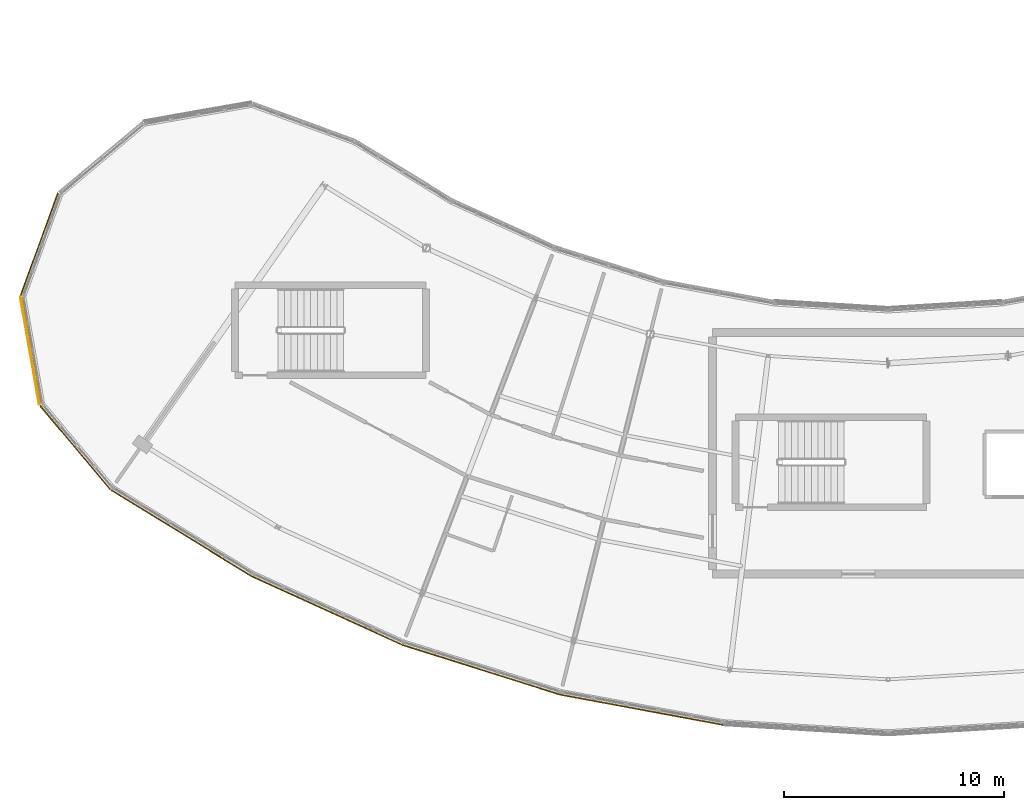
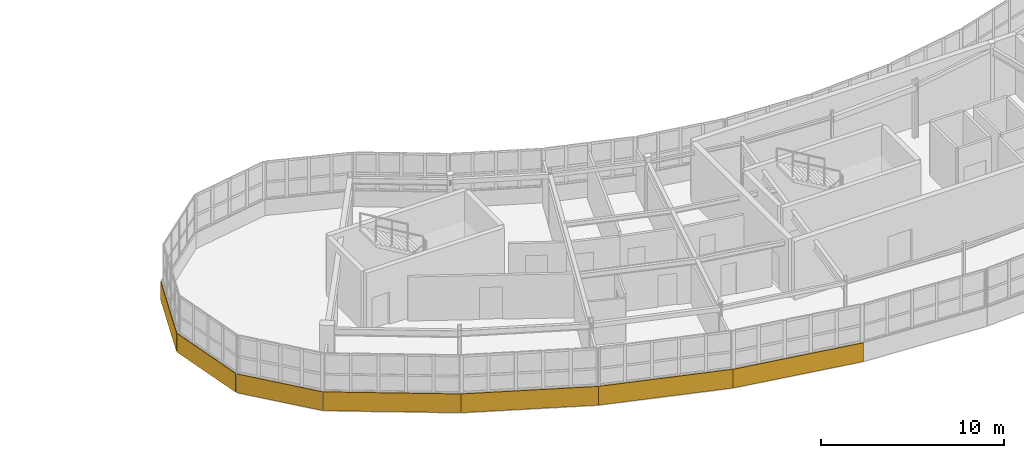
# One storey, part 72 of 79: 7 coverings.
"""IFC4 building model written with IfcOpenShell, lengths in metres."""

from ifc_helpers import new_model, si_unit, direction, frame, origin, origin_2d, place, context, subcontext, project, spatial, rectangle, extrude, material, layer, layer_set, type_object, element, save


model = new_model("IFC4")

# Units and contexts
model_context = context("Model", 3, precision=1e-05, world=origin(), true_north=direction((0.0, 1.0)))
body_context = subcontext(model_context, "Body", "Model", "MODEL_VIEW")
ifc_project = project(units=[si_unit("LENGTHUNIT", "METRE"), si_unit("AREAUNIT", "SQUARE_METRE"), si_unit("VOLUMEUNIT", "CUBIC_METRE"), si_unit("PLANEANGLEUNIT", "RADIAN"), si_unit("MASSUNIT", "GRAM", prefix="KILO")], contexts=[model_context])

# Site, building, storey
site_placement = place(None, origin())
site = spatial("IfcSite", under=ifc_project, at=site_placement, CompositionType="ELEMENT")
building_placement = place(site_placement, origin())
building = spatial("IfcBuilding", under=site, at=building_placement, Name="Tarnwether General Hospital", CompositionType="ELEMENT")
storey_placement = place(building_placement, frame((0.0, 0.0, 18.300048828125)))
storey = spatial("IfcBuildingStorey", under=building, at=storey_placement, Name="L04", CompositionType="ELEMENT", Elevation=18.300048828125)

# Coverings
ifc_material = material(Name="Streamlined white enamelled aluminium", Category="aluminium")
ifc_layer = layer(ifc_material, 0.044921875)
ifc_layer_set = layer_set([ifc_layer], Name="Streamlined white enamelled aluminium")
covering_type = type_object("IfcCoveringType", Name="CV-CLD-WHT", PredefinedType="CLADDING", material=ifc_layer_set)
for number, where, z_axis, x_axis, name in (
    (1, (59.805908203125, 10.4619140625, -0.175048828125), (0.0, 0.0, 1.0), (-0.852631044904, 0.522513446015, 0.0), "Streamlined White Horizontal Band SE L04 01"),
    (2, (66.447998046875, 6.929931640625, -0.175048828125), (0.0, 0.0, 1.0), (-0.909961270877, 0.414693242656, 0.0), "Streamlined White Horizontal Band SE L04 02"),
    (3, (73.471923828125, 4.235107421875, -0.175048828125), (0.0, 0.0, 1.0), (-0.953743188648, 0.300622570855, 0.0), "Streamlined White Horizontal Band SE L04 03"),
    (4, (80.77099609375, 2.4150390625, -0.175048828125), (0.0, 0.0, 1.0), (-0.983245364386, 0.182287008349, 0.0), "Streamlined White Horizontal Band SE L04 04"),
):
    element("IfcCovering", number, at=place(storey_placement, frame(where, z_axis=z_axis, x_axis=x_axis)), inside=storey, type_object=covering_type, Name=name, PredefinedType="CLADDING", context=body_context, shape_type="SweptSolid", body=[
        extrude(rectangle(XDim=7.52099609375, YDim=0.044921875, at=origin_2d()), origin(), (0.0, 0.0, 1.0), 1.25),
    ])
covering_1_placement = place(storey_placement, frame((53.3359375, 23.62109375, -0.175048828125), z_axis=(0.0, 0.0, 1.0), x_axis=(0.341954539571, 0.939716496006, 0.0)))
element("IfcCovering", 5, at=covering_1_placement, inside=storey, type_object=covering_type, Name="Streamlined White Horizontal Band SE L04 30", PredefinedType="CLADDING", context=body_context, shape_type="SweptSolid", body=[
    extrude(rectangle(XDim=4.968017578125, YDim=0.044921875, at=origin_2d()), origin(), (0.0, 0.0, 1.0), 1.25),
])
covering_2_placement = place(storey_placement, frame((52.912109375, 18.77099609375, -0.175048828125), z_axis=(0.0, 0.0, 1.0), x_axis=(-0.173459104952, 0.984841072919, 0.0)))
element("IfcCovering", 6, at=covering_2_placement, inside=storey, type_object=covering_type, Name="Streamlined White Horizontal Band SE L04 31", PredefinedType="CLADDING", context=body_context, shape_type="SweptSolid", body=[
    extrude(rectangle(XDim=4.968994140625, YDim=0.044921875, at=origin_2d()), origin(), (0.0, 0.0, 1.0), 1.25),
])
covering_3_placement = place(storey_placement, frame((54.968994140625, 14.35888671875, -0.175048828125), z_axis=(0.0, 0.0, 1.0), x_axis=(-0.642854457228, 0.765988346401, 0.0)))
element("IfcCovering", 7, at=covering_3_placement, inside=storey, type_object=covering_type, Name="Streamlined White Horizontal Band SE L04 32", PredefinedType="CLADDING", context=body_context, shape_type="SweptSolid", body=[
    extrude(rectangle(XDim=4.969970703125, YDim=0.044921875, at=origin_2d()), origin(), (0.0, 0.0, 1.0), 1.25),
])

save(model, "model.ifc")
